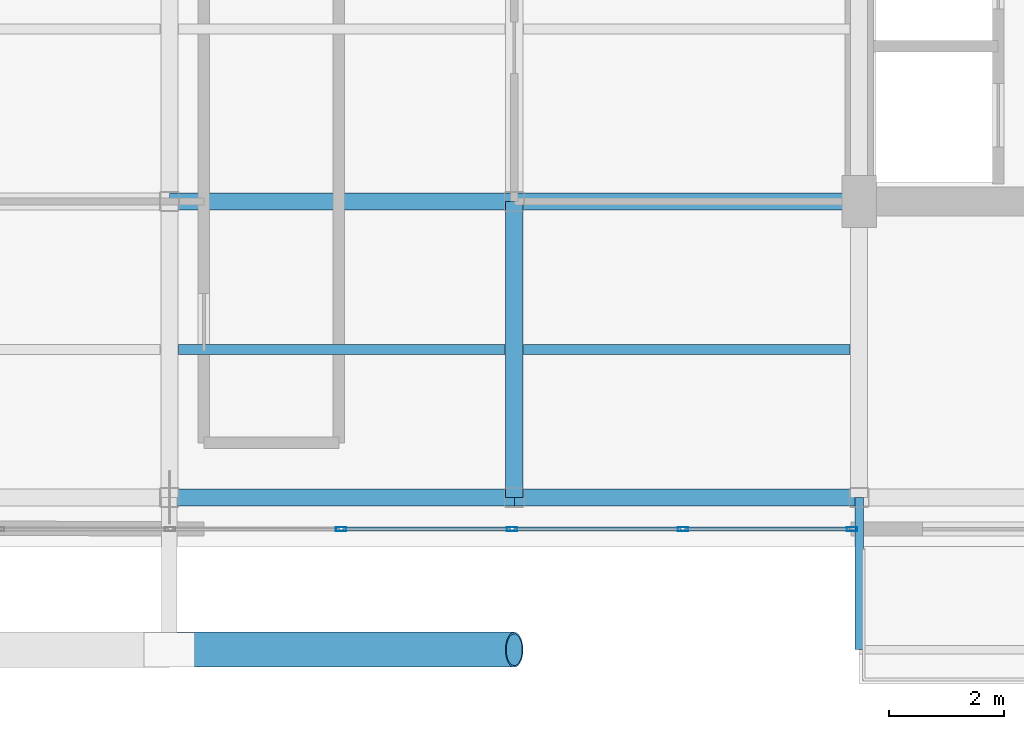
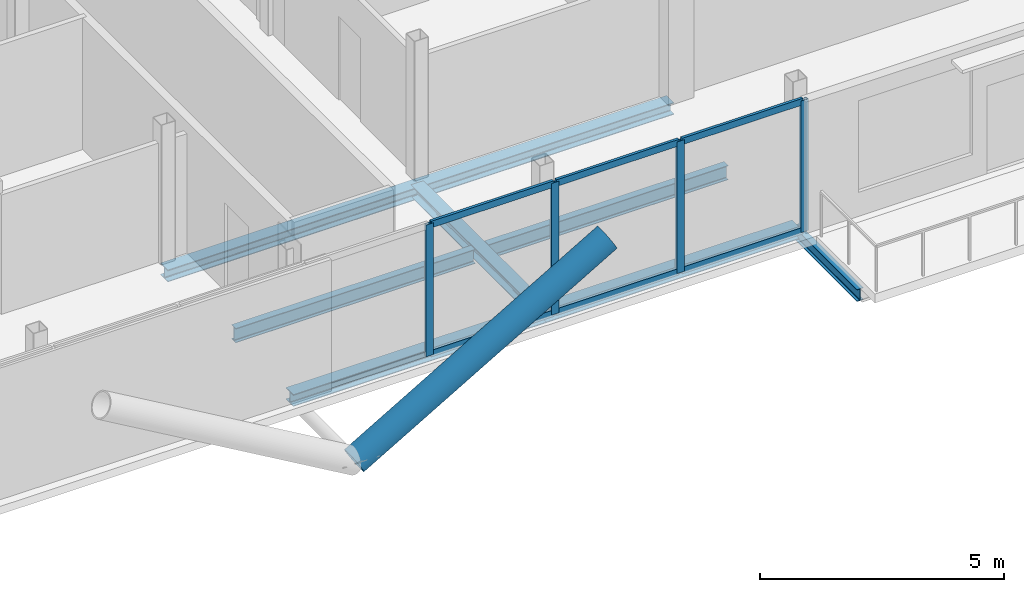
# One storey, part 4 of 18: 11 members, 8 beams, 1 element without a shape of its own.
"""IFC4 building model written with IfcOpenShell, lengths in metres."""

from ifc_helpers import new_model, si_unit, direction, frame, origin, origin_2d, place, context, subcontext, project, spatial, hollow_rectangle, hollow_circle, i_section, extrude, material, layer, layer_set, material_profile, profile_set, type_object, element, aggregate, save


model = new_model("IFC4")

# Units and contexts
model_context = context("Model", 3, precision=1e-05, world=origin(), true_north=direction((0.0, 1.0)))
body_context = subcontext(model_context, "Body", "Model", "MODEL_VIEW")
ifc_project = project(units=[si_unit("LENGTHUNIT", "METRE"), si_unit("AREAUNIT", "SQUARE_METRE"), si_unit("VOLUMEUNIT", "CUBIC_METRE"), si_unit("PLANEANGLEUNIT", "RADIAN"), si_unit("MASSUNIT", "GRAM", prefix="KILO"), si_unit("THERMODYNAMICTEMPERATUREUNIT", "KELVIN"), si_unit("POWERUNIT", "WATT")], contexts=[model_context])

# Site, building, storey
site_placement = place(None, origin())
site = spatial("IfcSite", under=ifc_project, at=site_placement, CompositionType="ELEMENT")
building_placement = place(site_placement, origin())
building = spatial("IfcBuilding", under=site, at=building_placement, Name="Svarakhadi Broadcast Tower", CompositionType="ELEMENT")
storey_placement = place(building_placement, frame((0.0, 0.0, 246.699951171875)))
storey = spatial("IfcBuildingStorey", under=building, at=storey_placement, Name="L61", CompositionType="ELEMENT", Elevation=246.699951171875)

# Beams
ifc_material_1 = material(Name="Steel S355J2 (IS 2062 E350C)", Category="steel")
ifc_material_profile_1 = material_profile(ifc_material_1, i_section(OverallWidth=0.169921875, OverallDepth=0.360107421875, WebThickness=0.008056640625, FlangeThickness=0.0126953125, FilletRadius=0.01806640625, at=origin_2d()), Name="NPB 360x170x57")
ifc_profile_set_1 = profile_set([ifc_material_profile_1], Name="Steel S355J2 (IS 2062 E350C)")
beam_type_1 = type_object("IfcBeamType", Name="Beam_NPB360", PredefinedType="BEAM", material=ifc_profile_set_1)
for number, where, z_axis, x_axis, name in (
    (1, (12.159912109375, 3.425048828125, -0.3798828125), (1.0, 0.0, 0.0), (0.0, 1.0, 0.0), "L61 Secondary Composite Beam SB007"),
    (2, (18.159912109375, 3.425048828125, -0.3798828125), (1.0, 0.0, 0.0), (0.0, 1.0, 0.0), "L61 Secondary Composite Beam SB010"),
):
    element("IfcBeam", number, at=place(storey_placement, frame(where, z_axis=z_axis, x_axis=x_axis)), inside=storey, type_object=beam_type_1, Name=name, PredefinedType="BEAM", context=body_context, shape_type="SweptSolid", body=[
        extrude(i_section(OverallWidth=0.169921875, OverallDepth=0.360107421875, WebThickness=0.008056640625, FlangeThickness=0.0126953125, FilletRadius=0.01806640625, at=origin_2d()), origin(), (0.0, 0.0, 1.0), 5.68017578125),
    ])

# Curtain wall, members
ifc_material_2 = material(Name="Anodised Bronze Aluminium AA 6063-T6", Category="aluminium")
ifc_layer = layer(ifc_material_2, 0.179931640625)
ifc_layer_set = layer_set([ifc_layer], Name="Anodised Bronze Aluminium AA 6063-T6")
curtain_wall_type = type_object("IfcCurtainWallType", Name="CW_Sys_05", PredefinedType="NOTDEFINED", material=ifc_layer_set)
curtain_wall_placement = place(storey_placement, origin())
curtain_wall = element("IfcCurtainWall", 3, at=curtain_wall_placement, inside=storey, type_object=curtain_wall_type, Name="L61 South Curtain Wall 15", PredefinedType="NOTDEFINED")
ifc_material_profile_2 = material_profile(ifc_material_2, hollow_rectangle(XDim=0.070068359375, YDim=0.179931640625, WallThickness=0.005615234375, at=origin_2d()), Name="ALU MULLION 180x70x6")
ifc_profile_set_2 = profile_set([ifc_material_profile_2], Name="Anodised Bronze Aluminium AA 6063-T6")
member_type_1 = type_object("IfcMemberType", Name="CW_Sys_05_Mul", PredefinedType="MULLION", material=ifc_profile_set_2)
member_1_placement = place(storey_placement, frame((23.875, 0.300048828125, 0.0), z_axis=(0.0, 0.0, 1.0), x_axis=(0.0, -1.0, 0.0)))
member_1 = element("IfcMember", 4, at=member_1_placement, type_object=member_type_1, Name="CW-05 mullion 1", PredefinedType="MULLION", context=body_context, shape_type="SweptSolid", body=[
    extrude(hollow_rectangle(XDim=0.070068359375, YDim=0.179931640625, WallThickness=0.005615234375, at=origin_2d()), origin(), (0.0, 0.0, 1.0), 3.300048828125),
])
member_2_placement = place(storey_placement, frame((20.935791015625, 0.300048828125, 0.0), z_axis=(0.0, 0.0, 1.0), x_axis=(0.0, -1.0, 0.0)))
member_2 = element("IfcMember", 5, at=member_2_placement, type_object=member_type_1, Name="CW-05 mullion 2", PredefinedType="MULLION", context=body_context, shape_type="SweptSolid", body=[
    extrude(hollow_rectangle(XDim=0.070068359375, YDim=0.179931640625, WallThickness=0.005615234375, at=origin_2d()), origin(), (0.0, 0.0, 1.0), 3.300048828125),
])
member_3_placement = place(storey_placement, frame((17.96142578125, 0.300048828125, 0.0), z_axis=(0.0, 0.0, 1.0), x_axis=(0.0, -1.0, 0.0)))
member_3 = element("IfcMember", 6, at=member_3_placement, type_object=member_type_1, Name="CW-05 mullion 3", PredefinedType="MULLION", context=body_context, shape_type="SweptSolid", body=[
    extrude(hollow_rectangle(XDim=0.070068359375, YDim=0.179931640625, WallThickness=0.005615234375, at=origin_2d()), origin(), (0.0, 0.0, 1.0), 3.300048828125),
])
member_4_placement = place(storey_placement, frame((14.987060546875, 0.300048828125, 0.0), z_axis=(0.0, 0.0, 1.0), x_axis=(0.0, -1.0, 0.0)))
member_4 = element("IfcMember", 7, at=member_4_placement, type_object=member_type_1, Name="CW-05 mullion 4", PredefinedType="MULLION", context=body_context, shape_type="SweptSolid", body=[
    extrude(hollow_rectangle(XDim=0.070068359375, YDim=0.179931640625, WallThickness=0.005615234375, at=origin_2d()), origin(), (0.0, 0.0, 1.0), 3.300048828125),
])
ifc_material_profile_3 = material_profile(ifc_material_2, hollow_rectangle(XDim=0.06494140625, YDim=0.1650390625, WallThickness=0.0048828125, at=origin_2d()), Name="ALU TRANSOM 165x65x5")
ifc_profile_set_3 = profile_set([ifc_material_profile_3], Name="Anodised Bronze Aluminium AA 6063-T6")
member_type_2 = type_object("IfcMemberType", Name="CW_Sys_05_Trn", PredefinedType="USERDEFINED", material=ifc_profile_set_3)
member_5_placement = place(storey_placement, frame((23.840087890625, 0.300048828125, 0.032470703125), z_axis=(-1.0, 0.0, 0.0), x_axis=(0.0, -1.0, 0.0)))
member_5 = element("IfcMember", 8, at=member_5_placement, type_object=member_type_2, Name="CW-05 transom 1.1", ObjectType="TRANSOM", PredefinedType="USERDEFINED", context=body_context, shape_type="SweptSolid", body=[
    extrude(hollow_rectangle(XDim=0.06494140625, YDim=0.1650390625, WallThickness=0.0048828125, at=origin_2d()), origin(), (0.0, 0.0, 1.0), 2.869384765625),
])
member_6_placement = place(storey_placement, frame((23.840087890625, 0.300048828125, 3.267578125), z_axis=(-1.0, 0.0, 0.0), x_axis=(0.0, -1.0, 0.0)))
member_6 = element("IfcMember", 9, at=member_6_placement, type_object=member_type_2, Name="CW-05 transom 1.2", ObjectType="TRANSOM", PredefinedType="USERDEFINED", context=body_context, shape_type="SweptSolid", body=[
    extrude(hollow_rectangle(XDim=0.06494140625, YDim=0.1650390625, WallThickness=0.0048828125, at=origin_2d()), origin(), (0.0, 0.0, 1.0), 2.869384765625),
])
member_7_placement = place(storey_placement, frame((20.900634765625, 0.300048828125, 0.032470703125), z_axis=(-1.0, 0.0, 0.0), x_axis=(0.0, -1.0, 0.0)))
member_7 = element("IfcMember", 10, at=member_7_placement, type_object=member_type_2, Name="CW-05 transom 2.1", ObjectType="TRANSOM", PredefinedType="USERDEFINED", context=body_context, shape_type="SweptSolid", body=[
    extrude(hollow_rectangle(XDim=0.06494140625, YDim=0.1650390625, WallThickness=0.0048828125, at=origin_2d()), origin(), (0.0, 0.0, 1.0), 2.904296875),
])
member_8_placement = place(storey_placement, frame((20.900634765625, 0.300048828125, 3.267578125), z_axis=(-1.0, 0.0, 0.0), x_axis=(0.0, -1.0, 0.0)))
member_8 = element("IfcMember", 11, at=member_8_placement, type_object=member_type_2, Name="CW-05 transom 2.2", ObjectType="TRANSOM", PredefinedType="USERDEFINED", context=body_context, shape_type="SweptSolid", body=[
    extrude(hollow_rectangle(XDim=0.06494140625, YDim=0.1650390625, WallThickness=0.0048828125, at=origin_2d()), origin(), (0.0, 0.0, 1.0), 2.904296875),
])
member_9_placement = place(storey_placement, frame((17.926513671875, 0.300048828125, 0.032470703125), z_axis=(-1.0, 0.0, 0.0), x_axis=(0.0, -1.0, 0.0)))
member_9 = element("IfcMember", 12, at=member_9_placement, type_object=member_type_2, Name="CW-05 transom 3.1", ObjectType="TRANSOM", PredefinedType="USERDEFINED", context=body_context, shape_type="SweptSolid", body=[
    extrude(hollow_rectangle(XDim=0.06494140625, YDim=0.1650390625, WallThickness=0.0048828125, at=origin_2d()), origin(), (0.0, 0.0, 1.0), 2.904296875),
])
member_10_placement = place(storey_placement, frame((17.926513671875, 0.300048828125, 3.267578125), z_axis=(-1.0, 0.0, 0.0), x_axis=(0.0, -1.0, 0.0)))
member_10 = element("IfcMember", 13, at=member_10_placement, type_object=member_type_2, Name="CW-05 transom 3.2", ObjectType="TRANSOM", PredefinedType="USERDEFINED", context=body_context, shape_type="SweptSolid", body=[
    extrude(hollow_rectangle(XDim=0.06494140625, YDim=0.1650390625, WallThickness=0.0048828125, at=origin_2d()), origin(), (0.0, 0.0, 1.0), 2.904296875),
])
aggregate(curtain_wall, [member_1, member_2, member_3, member_4, member_5, member_6, member_7, member_8, member_9, member_10])

# Member
ifc_material_3 = material(Name="Steel S460ML (IS 2062 E450BR)", Category="steel")
ifc_material_profile_4 = material_profile(ifc_material_3, hollow_circle(Radius=0.304931640625, WallThickness=0.030029296875, at=origin_2d()), Name="CHS 610x30")
ifc_profile_set_4 = profile_set([ifc_material_profile_4], Name="Steel S460ML (IS 2062 E450BR)")
member_type_3 = type_object("IfcMemberType", Name="Exo_Brace_CHS610", PredefinedType="BRACE", material=ifc_profile_set_4)
member_11_placement = place(storey_placement, frame((12.0, -1.800048828125, -0.33642578125), z_axis=(0.863778900898, 0.0, 0.503871025524), x_axis=(0.0, 1.0, 0.0)))
element("IfcMember", 14, at=member_11_placement, inside=storey, type_object=member_type_3, Name="L61 Exposed Bronze Exoskeleton Diagonal S02", PredefinedType="BRACE", context=body_context, shape_type="SweptSolid", body=[
    extrude(hollow_circle(Radius=0.304931640625, WallThickness=0.030029296875, at=origin_2d()), origin(), (0.0, 0.0, 1.0), 6.9462890625),
])

# Beams
ifc_material_profile_5 = material_profile(ifc_material_1, i_section(OverallWidth=0.300048828125, OverallDepth=0.300048828125, WebThickness=0.010986328125, FlangeThickness=0.01904296875, FilletRadius=0.027099609375, at=origin_2d()), Name="WPB 300x300x117")
ifc_profile_set_5 = profile_set([ifc_material_profile_5], Name="Steel S355J2 (IS 2062 E350C)")
beam_type_2 = type_object("IfcBeamType", Name="Girder_WPB300", PredefinedType="USERDEFINED", material=ifc_profile_set_5)
for number, where, z_axis, x_axis, name in (
    (15, (12.0, 0.85009765625, -0.349853515625), (1.0, 0.0, 0.0), (0.0, 1.0, 0.0), "L61 Primary E-W Girder G005"),
    (16, (18.0, 0.85009765625, -0.349853515625), (1.0, 0.0, 0.0), (0.0, 1.0, 0.0), "L61 Primary E-W Girder G006"),
    (17, (12.0, 6.0, -0.349853515625), (1.0, 0.0, 0.0), (0.0, 1.0, 0.0), "L61 Primary E-W Girder G010"),
    (18, (18.0, 6.0, -0.349853515625), (1.0, 0.0, 0.0), (0.0, 1.0, 0.0), "L61 Primary E-W Girder G011"),
):
    element("IfcBeam", number, at=place(storey_placement, frame(where, z_axis=z_axis, x_axis=x_axis)), inside=storey, type_object=beam_type_2, Name=name, ObjectType="GIRDER", PredefinedType="USERDEFINED", context=body_context, shape_type="SweptSolid", body=[
        extrude(i_section(OverallWidth=0.300048828125, OverallDepth=0.300048828125, WebThickness=0.010986328125, FlangeThickness=0.01904296875, FilletRadius=0.027099609375, at=origin_2d()), origin(), (0.0, 0.0, 1.0), 6.0),
    ])
beam_1_placement = place(storey_placement, frame((18.0, 0.85009765625, -0.349853515625), z_axis=(0.0, 1.0, 0.0), x_axis=(-1.0, 0.0, 0.0)))
element("IfcBeam", 19, at=beam_1_placement, inside=storey, type_object=beam_type_2, Name="L61 Primary N-S Girder G036", ObjectType="GIRDER", PredefinedType="USERDEFINED", context=body_context, shape_type="SweptSolid", body=[
    extrude(i_section(OverallWidth=0.300048828125, OverallDepth=0.300048828125, WebThickness=0.010986328125, FlangeThickness=0.01904296875, FilletRadius=0.027099609375, at=origin_2d()), origin(), (0.0, 0.0, 1.0), 5.14990234375),
])
ifc_material_profile_6 = material_profile(ifc_material_1, i_section(OverallWidth=0.14990234375, OverallDepth=0.300048828125, WebThickness=0.007080078125, FlangeThickness=0.0107421875, FilletRadius=0.014892578125, at=origin_2d()), Name="NPB 300x150x37")
ifc_profile_set_6 = profile_set([ifc_material_profile_6], Name="Steel S355J2 (IS 2062 E350C)")
beam_type_3 = type_object("IfcBeamType", Name="Spandrel_NPB300", PredefinedType="SPANDREL", material=ifc_profile_set_6)
beam_2_placement = place(storey_placement, frame((24.0, 0.85009765625, -0.375), z_axis=(0.0, -1.0, 0.0), x_axis=(1.0, 0.0, 0.0)))
element("IfcBeam", 20, at=beam_2_placement, inside=storey, type_object=beam_type_3, Name="L61 Balcony Cantilever Bracket 1A", PredefinedType="SPANDREL", context=body_context, shape_type="SweptSolid", body=[
    extrude(i_section(OverallWidth=0.14990234375, OverallDepth=0.300048828125, WebThickness=0.007080078125, FlangeThickness=0.0107421875, FilletRadius=0.014892578125, at=origin_2d()), origin(), (0.0, 0.0, 1.0), 2.650146484375),
])

save(model, "model.ifc")
